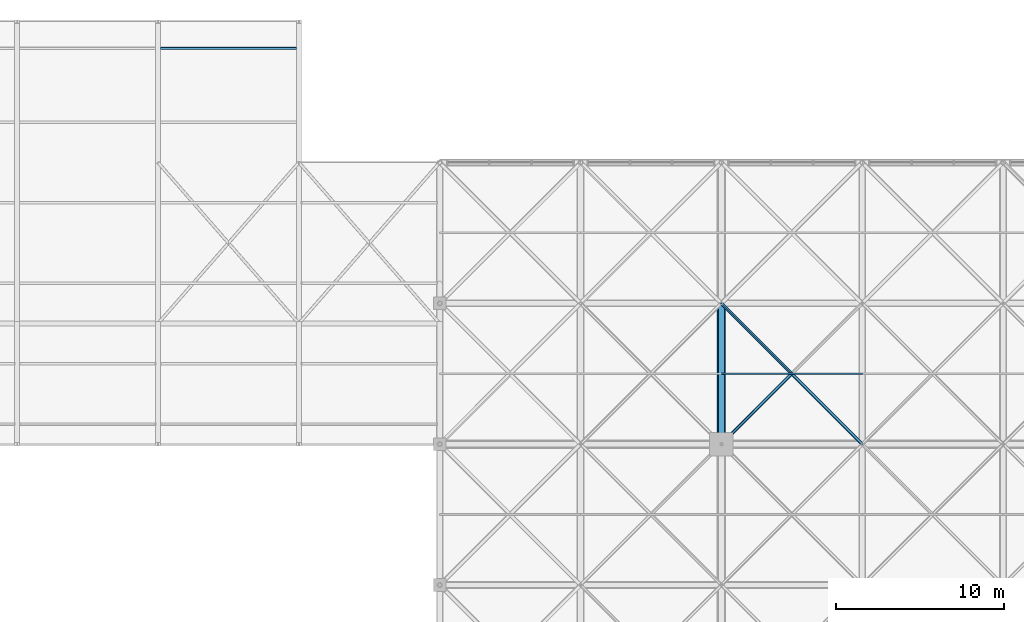
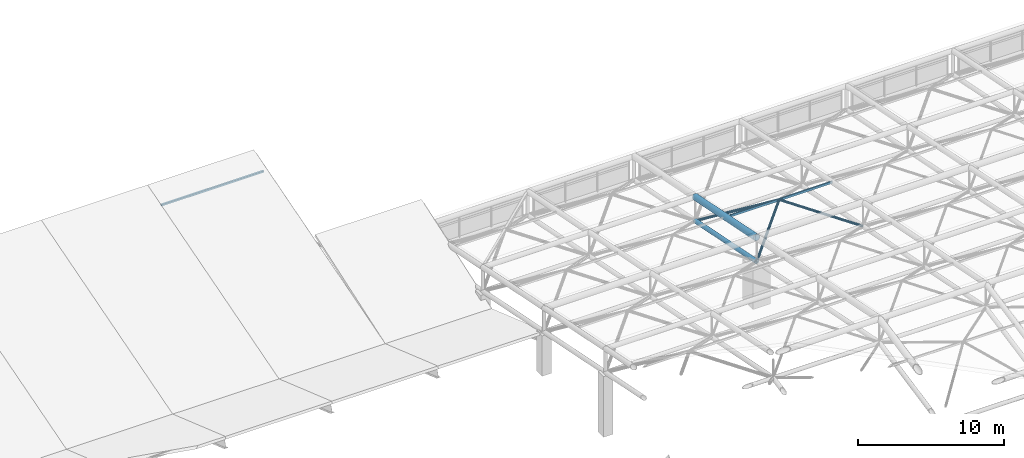
# One storey, part 53 of 110: 7 members.
"""IFC4 building model written with IfcOpenShell, lengths in metres."""

from ifc_helpers import new_model, si_unit, direction, frame, origin, origin_2d, place, context, subcontext, project, spatial, hollow_rectangle, hollow_circle, extrude, material, material_profile, profile_set, type_object, element, save


model = new_model("IFC4")

# Units and contexts
model_context = context("Model", 3, precision=1e-05, world=origin(), true_north=direction((0.0, 1.0)))
body_context = subcontext(model_context, "Body", "Model", "MODEL_VIEW")
ifc_project = project(units=[si_unit("LENGTHUNIT", "METRE"), si_unit("AREAUNIT", "SQUARE_METRE"), si_unit("VOLUMEUNIT", "CUBIC_METRE"), si_unit("PLANEANGLEUNIT", "RADIAN"), si_unit("MASSUNIT", "GRAM", prefix="KILO")], contexts=[model_context])

# Site, building, storey
site_placement = place(None, origin())
site = spatial("IfcSite", under=ifc_project, at=site_placement, CompositionType="ELEMENT")
building_placement = place(site_placement, origin())
building = spatial("IfcBuilding", under=site, at=building_placement, Name="Qawsi Khor Wholesale Market", CompositionType="ELEMENT")
storey_placement = place(building_placement, frame((0.0, 0.0, 11.39990234375)))
storey = spatial("IfcBuildingStorey", under=building, at=storey_placement, Name="L02", CompositionType="ELEMENT", Elevation=11.39990234375)

# Members
ifc_material = material(Name="Steel S355", Category="steel")
ifc_material_profile_1 = material_profile(ifc_material, hollow_rectangle(XDim=0.14990234375, YDim=0.14990234375, WallThickness=0.008056640625, InnerFilletRadius=0.008056640625, OuterFilletRadius=0.01611328125, at=origin_2d()), Name="SHS 150x150x8.0")
ifc_profile_set_1 = profile_set([ifc_material_profile_1], Name="Steel S355")
member_type_1 = type_object("IfcMemberType", Name="Auction Shed Purlin SHS 150x150x8.0", PredefinedType="PURLIN", material=ifc_profile_set_1)
member_1_placement = place(storey_placement, frame((126.14990234375, 116.0, 5.47900390625), z_axis=(1.0, 0.0, 0.0), x_axis=(0.0, 1.0, 0.0)))
element("IfcMember", 1, at=member_1_placement, inside=storey, type_object=member_type_1, Name="Auction Roof Purlin 16-6", PredefinedType="PURLIN", context=body_context, shape_type="SweptSolid", body=[
    extrude(hollow_rectangle(XDim=0.14990234375, YDim=0.14990234375, WallThickness=0.008056640625, InnerFilletRadius=0.008056640625, OuterFilletRadius=0.01611328125, at=origin_2d()), origin(), (0.0, 0.0, 1.0), 8.10009765625),
])
ifc_material_profile_2 = material_profile(ifc_material, hollow_circle(Radius=0.177734375, WallThickness=0.01611328125, at=origin_2d()), Name="CHS 355.6x16.0")
ifc_profile_set_2 = profile_set([ifc_material_profile_2], Name="Steel S355")
member_type_2 = type_object("IfcMemberType", Name="Space-Frame Bottom Chord CHS 355.6x16.0", PredefinedType="CHORD", material=ifc_profile_set_2)
member_2_placement = place(storey_placement, frame((159.60009765625, 92.39990234375, 3.3701171875), z_axis=(0.0, 0.98013111127, -0.198350711418), x_axis=(-1.0, 0.0, 0.0)))
element("IfcMember", 2, at=member_2_placement, inside=storey, type_object=member_type_2, Name="Space frame bottom chord Y EH (19,11)", PredefinedType="CHORD", context=body_context, shape_type="SweptSolid", body=[
    extrude(hollow_circle(Radius=0.177734375, WallThickness=0.01611328125, at=origin_2d()), origin(), (0.0, 0.0, 1.0), 8.5703125),
])
ifc_material_profile_3 = material_profile(ifc_material, hollow_circle(Radius=0.25390625, WallThickness=0.02490234375, at=origin_2d()), Name="CHS 508.0x25.0")
ifc_profile_set_3 = profile_set([ifc_material_profile_3], Name="Steel S355")
member_type_3 = type_object("IfcMemberType", Name="Space-Frame Main Chord CHS 508.0x25.0", PredefinedType="CHORD", material=ifc_profile_set_3)
member_3_placement = place(storey_placement, frame((159.60009765625, 92.39990234375, 5.3701171875), z_axis=(0.0, 0.98013111127, -0.198350711418), x_axis=(-1.0, 0.0, 0.0)))
element("IfcMember", 3, at=member_3_placement, inside=storey, type_object=member_type_3, Name="Space frame top chord Y EH (19,11)", PredefinedType="CHORD", context=body_context, shape_type="SweptSolid", body=[
    extrude(hollow_circle(Radius=0.25390625, WallThickness=0.02490234375, at=origin_2d()), origin(), (0.0, 0.0, 1.0), 8.5703125),
])
ifc_material_profile_4 = material_profile(ifc_material, hollow_rectangle(XDim=0.10009765625, YDim=0.199951171875, WallThickness=0.008056640625, InnerFilletRadius=0.008056640625, OuterFilletRadius=0.01611328125, at=origin_2d()), Name="RHS 200x100x8.0")
ifc_profile_set_4 = profile_set([ifc_material_profile_4], Name="Steel S355")
member_type_4 = type_object("IfcMemberType", Name="Space-Frame Purlin RHS 200x100x8.0", PredefinedType="PURLIN", material=ifc_profile_set_4)
member_4_placement = place(storey_placement, frame((159.60009765625, 96.60009765625, 4.52001953125), z_axis=(1.0, 0.0, 0.0), x_axis=(0.0, 1.0, 0.0)))
element("IfcMember", 4, at=member_4_placement, inside=storey, type_object=member_type_4, Name="Space frame purlin EH (19,11)", PredefinedType="PURLIN", context=body_context, shape_type="SweptSolid", body=[
    extrude(hollow_rectangle(XDim=0.10009765625, YDim=0.199951171875, WallThickness=0.008056640625, InnerFilletRadius=0.008056640625, OuterFilletRadius=0.01611328125, at=origin_2d()), origin(), (0.0, 0.0, 1.0), 8.39990234375),
])
ifc_material_profile_5 = material_profile(ifc_material, hollow_circle(Radius=0.096923828125, WallThickness=0.008056640625, at=origin_2d()), Name="CHS 193.7x8.0")
ifc_profile_set_5 = profile_set([ifc_material_profile_5], Name="Steel S355")
member_type_5 = type_object("IfcMemberType", Name="Space-Frame Secondary Diagonal CHS 193.7x8.0", PredefinedType="RAFTER", material=ifc_profile_set_5)
for number, where, z_axis, x_axis, name in (
    (5, (159.60009765625, 92.39990234375, 3.3701171875), (0.694197266374, 0.694237619642, 0.19006389145), (-0.707127332136, 0.70708622964, 0.0), "Space frame diagonal EH (19,11)-1"),
    (6, (168.0, 92.39990234375, 3.3701171875), (-0.694197266374, 0.694237619642, 0.19006389145), (-0.707127332136, -0.70708622964, 0.0), "Space frame diagonal EH (19,11)-2"),
):
    element("IfcMember", number, at=place(storey_placement, frame(where, z_axis=z_axis, x_axis=x_axis)), inside=storey, type_object=member_type_5, Name=name, PredefinedType="RAFTER", context=body_context, shape_type="SweptSolid", body=[
        extrude(hollow_circle(Radius=0.096923828125, WallThickness=0.008056640625, at=origin_2d()), origin(), (0.0, 0.0, 1.0), 6.050048828125),
    ])
member_5_placement = place(storey_placement, frame((159.60009765625, 100.800048828125, 1.670166015625), z_axis=(0.637521961484, -0.637521961484, 0.432586982294), x_axis=(0.707106781187, 0.707106781187, 0.0)))
element("IfcMember", 7, at=member_5_placement, inside=storey, type_object=member_type_5, Name="Space frame diagonal EH (19,11)-4", PredefinedType="RAFTER", context=body_context, shape_type="SweptSolid", body=[
    extrude(hollow_circle(Radius=0.096923828125, WallThickness=0.008056640625, at=origin_2d()), origin(), (0.0, 0.0, 1.0), 6.587890625),
])

save(model, "model.ifc")
